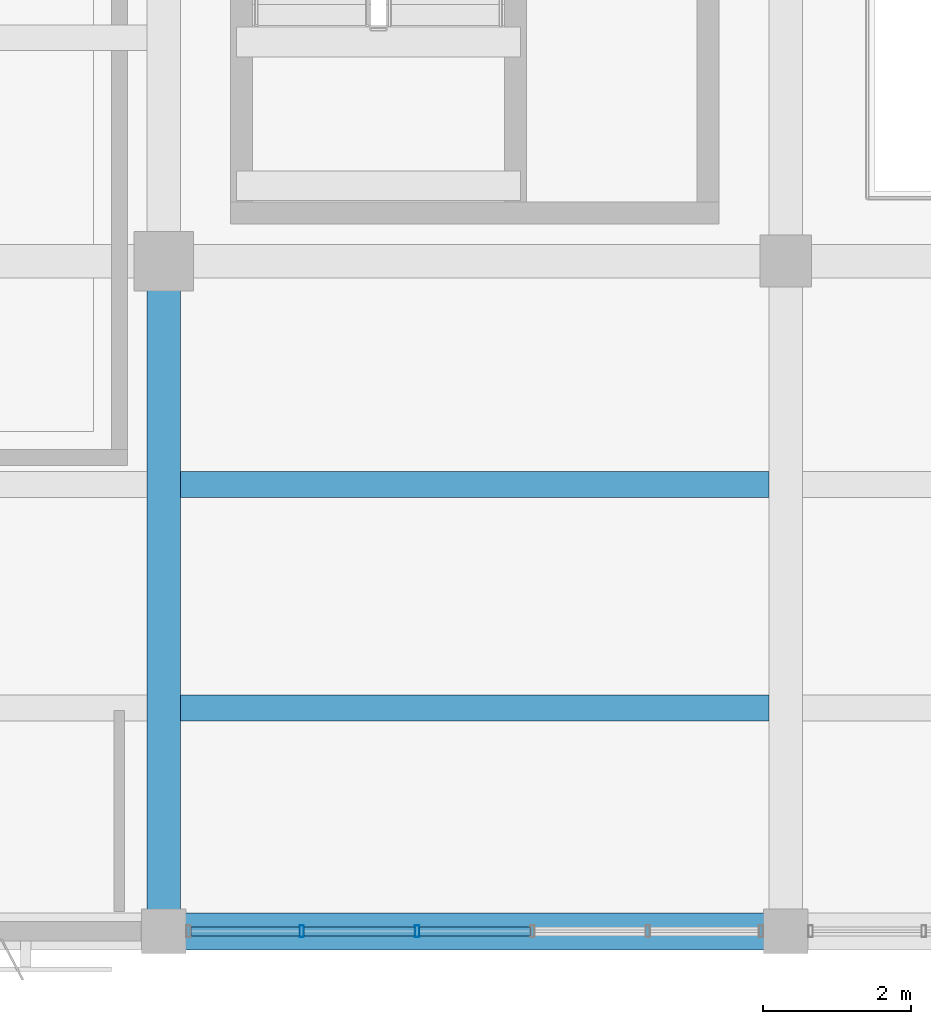
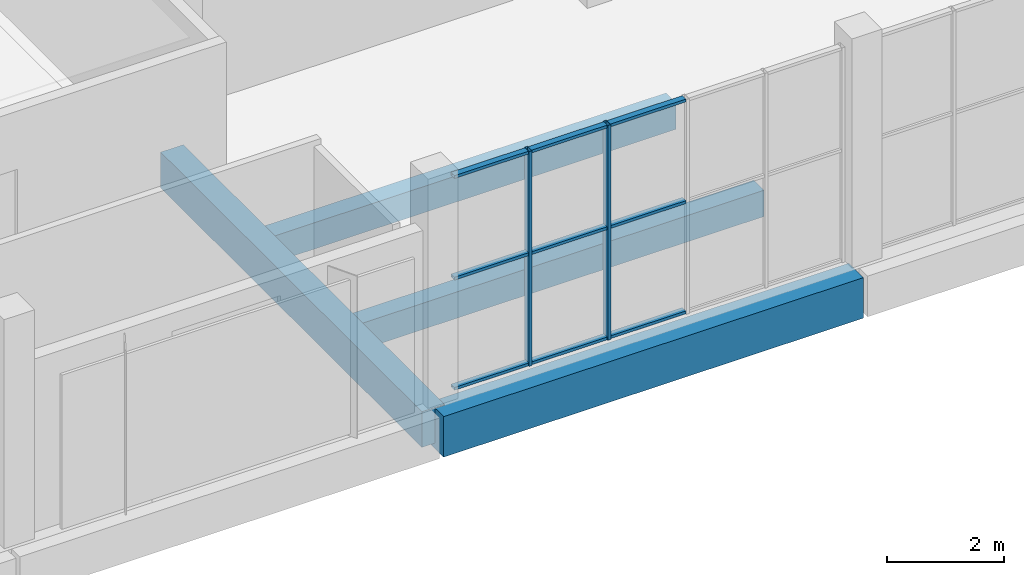
# One storey, part 9 of 80: 11 members, 4 beams, 1 element without a shape of its own.
"""IFC4 building model written with IfcOpenShell, lengths in metres."""

from ifc_helpers import new_model, si_unit, direction, frame, origin, origin_2d, place, context, subcontext, project, spatial, rectangle, hollow_rectangle, extrude, material, material_profile, profile_set, type_object, element, aggregate, save


model = new_model("IFC4")

# Units and contexts
model_context = context("Model", 3, precision=1e-05, world=origin(), true_north=direction((0.0, 1.0)))
body_context = subcontext(model_context, "Body", "Model", "MODEL_VIEW")
ifc_project = project(units=[si_unit("LENGTHUNIT", "METRE"), si_unit("AREAUNIT", "SQUARE_METRE"), si_unit("VOLUMEUNIT", "CUBIC_METRE"), si_unit("PLANEANGLEUNIT", "RADIAN"), si_unit("MASSUNIT", "GRAM", prefix="KILO")], contexts=[model_context])

# Site, building, storey
site_placement = place(None, origin())
site = spatial("IfcSite", under=ifc_project, at=site_placement, CompositionType="ELEMENT")
building_placement = place(site_placement, origin())
building = spatial("IfcBuilding", under=site, at=building_placement, Name="Khurvash Pelagic Aquarium", CompositionType="ELEMENT")
storey_placement = place(building_placement, frame((0.0, 0.0, 10.800048828125)))
storey = spatial("IfcBuildingStorey", under=building, at=storey_placement, Name="L02", CompositionType="ELEMENT", Elevation=10.800048828125)

# Beam
ifc_material_1 = material(Name="Concrete C35/45", Category="concrete")
ifc_material_profile_1 = material_profile(ifc_material_1, rectangle(XDim=0.449951171875, YDim=0.75, at=origin_2d()), Name="RC450X750")
ifc_profile_set_1 = profile_set([ifc_material_profile_1], Name="Concrete C35/45")
beam_type_1 = type_object("IfcBeamType", Name="BM-04", PredefinedType="BEAM", material=ifc_profile_set_1)
beam_1_placement = place(storey_placement, frame((58.800048828125, 2.639892578125, -0.675048828125), z_axis=(0.0, 1.0, 0.0), x_axis=(-1.0, 0.0, 0.0)))
element("IfcBeam", 1, at=beam_1_placement, inside=storey, type_object=beam_type_1, Name="L02 Primary Girder BM-04 00681", PredefinedType="BEAM", context=body_context, shape_type="SweptSolid", body=[
    extrude(rectangle(XDim=0.449951171875, YDim=0.75, at=origin_2d()), origin(), (0.0, 0.0, 1.0), 8.97021484375),
])

# Curtain wall, members
ifc_material_2 = material(Name="Anodised aluminium and low-E laminated glass", Category="aluminium")
curtain_wall_type = type_object("IfcCurtainWallType", Name="CW-06", PredefinedType="USERDEFINED", material=ifc_material_2)
curtain_wall_placement = place(storey_placement, origin())
curtain_wall = element("IfcCurtainWall", 2, at=curtain_wall_placement, inside=storey, type_object=curtain_wall_type, Name="L02 Facade Unitised Curtain Wall CW-06 0153", ObjectType="UNITISED CURTAIN WALL", PredefinedType="USERDEFINED")
ifc_material_3 = material(Name="Extruded aluminium AW-6063-T6", Category="aluminium")
ifc_material_profile_2 = material_profile(ifc_material_3, hollow_rectangle(XDim=0.06005859375, YDim=0.159912109375, WallThickness=0.00390625, at=origin_2d()), Name="CWM60X160X4")
ifc_profile_set_2 = profile_set([ifc_material_profile_2], Name="Extruded aluminium AW-6063-T6")
member_type_1 = type_object("IfcMemberType", Name="CM-02", PredefinedType="MULLION", material=ifc_profile_set_2)
member_1_placement = place(storey_placement, frame((60.6630859375, 2.60009765625, 0.0), z_axis=(0.0, 0.0, 1.0), x_axis=(1.0, 0.0, 0.0)))
member_1 = element("IfcMember", 3, at=member_1_placement, type_object=member_type_1, Name="CW-06 mullion 2", PredefinedType="MULLION", context=body_context, shape_type="SweptSolid", body=[
    extrude(hollow_rectangle(XDim=0.06005859375, YDim=0.159912109375, WallThickness=0.00390625, at=origin_2d()), origin(), (0.0, 0.0, 1.0), 4.5),
])
member_2_placement = place(storey_placement, frame((62.220947265625, 2.60009765625, 0.0), z_axis=(0.0, 0.0, 1.0), x_axis=(1.0, 0.0, 0.0)))
member_2 = element("IfcMember", 4, at=member_2_placement, type_object=member_type_1, Name="CW-06 mullion 3", PredefinedType="MULLION", context=body_context, shape_type="SweptSolid", body=[
    extrude(hollow_rectangle(XDim=0.06005859375, YDim=0.159912109375, WallThickness=0.00390625, at=origin_2d()), origin(), (0.0, 0.0, 1.0), 4.5),
])
ifc_material_profile_3 = material_profile(ifc_material_3, hollow_rectangle(XDim=0.1201171875, YDim=0.06005859375, WallThickness=0.00390625, at=origin_2d()), Name="CWT120X60X4")
ifc_profile_set_3 = profile_set([ifc_material_profile_3], Name="Extruded aluminium AW-6063-T6")
member_type_2 = type_object("IfcMemberType", Name="CT-02", PredefinedType="USERDEFINED", material=ifc_profile_set_3)
member_3_placement = place(storey_placement, frame((59.1650390625, 2.60009765625, 0.030029296875), z_axis=(1.0, 0.0, 0.0), x_axis=(0.0, 1.0, 0.0)))
member_3 = element("IfcMember", 5, at=member_3_placement, type_object=member_type_2, Name="CW-06 transom 1.1", ObjectType="TRANSOM", PredefinedType="USERDEFINED", context=body_context, shape_type="SweptSolid", body=[
    extrude(hollow_rectangle(XDim=0.1201171875, YDim=0.06005859375, WallThickness=0.00390625, at=origin_2d()), origin(), (0.0, 0.0, 1.0), 1.468017578125),
])
member_4_placement = place(storey_placement, frame((59.1650390625, 2.60009765625, 2.33984375), z_axis=(1.0, 0.0, 0.0), x_axis=(0.0, 1.0, 0.0)))
member_4 = element("IfcMember", 6, at=member_4_placement, type_object=member_type_2, Name="CW-06 transom 1.2", ObjectType="TRANSOM", PredefinedType="USERDEFINED", context=body_context, shape_type="SweptSolid", body=[
    extrude(hollow_rectangle(XDim=0.1201171875, YDim=0.06005859375, WallThickness=0.00390625, at=origin_2d()), origin(), (0.0, 0.0, 1.0), 1.468017578125),
])
member_5_placement = place(storey_placement, frame((59.1650390625, 2.60009765625, 4.469970703125), z_axis=(1.0, 0.0, 0.0), x_axis=(0.0, 1.0, 0.0)))
member_5 = element("IfcMember", 7, at=member_5_placement, type_object=member_type_2, Name="CW-06 transom 1.3", ObjectType="TRANSOM", PredefinedType="USERDEFINED", context=body_context, shape_type="SweptSolid", body=[
    extrude(hollow_rectangle(XDim=0.1201171875, YDim=0.06005859375, WallThickness=0.00390625, at=origin_2d()), origin(), (0.0, 0.0, 1.0), 1.468017578125),
])
member_6_placement = place(storey_placement, frame((60.693115234375, 2.60009765625, 0.030029296875), z_axis=(1.0, 0.0, 0.0), x_axis=(0.0, 1.0, 0.0)))
member_6 = element("IfcMember", 8, at=member_6_placement, type_object=member_type_2, Name="CW-06 transom 2.1", ObjectType="TRANSOM", PredefinedType="USERDEFINED", context=body_context, shape_type="SweptSolid", body=[
    extrude(hollow_rectangle(XDim=0.1201171875, YDim=0.06005859375, WallThickness=0.00390625, at=origin_2d()), origin(), (0.0, 0.0, 1.0), 1.497802734375),
])
member_7_placement = place(storey_placement, frame((60.693115234375, 2.60009765625, 2.33984375), z_axis=(1.0, 0.0, 0.0), x_axis=(0.0, 1.0, 0.0)))
member_7 = element("IfcMember", 9, at=member_7_placement, type_object=member_type_2, Name="CW-06 transom 2.2", ObjectType="TRANSOM", PredefinedType="USERDEFINED", context=body_context, shape_type="SweptSolid", body=[
    extrude(hollow_rectangle(XDim=0.1201171875, YDim=0.06005859375, WallThickness=0.00390625, at=origin_2d()), origin(), (0.0, 0.0, 1.0), 1.497802734375),
])
member_8_placement = place(storey_placement, frame((60.693115234375, 2.60009765625, 4.469970703125), z_axis=(1.0, 0.0, 0.0), x_axis=(0.0, 1.0, 0.0)))
member_8 = element("IfcMember", 10, at=member_8_placement, type_object=member_type_2, Name="CW-06 transom 2.3", ObjectType="TRANSOM", PredefinedType="USERDEFINED", context=body_context, shape_type="SweptSolid", body=[
    extrude(hollow_rectangle(XDim=0.1201171875, YDim=0.06005859375, WallThickness=0.00390625, at=origin_2d()), origin(), (0.0, 0.0, 1.0), 1.497802734375),
])
member_9_placement = place(storey_placement, frame((62.2509765625, 2.60009765625, 0.030029296875), z_axis=(1.0, 0.0, 0.0), x_axis=(0.0, 1.0, 0.0)))
member_9 = element("IfcMember", 11, at=member_9_placement, type_object=member_type_2, Name="CW-06 transom 3.1", ObjectType="TRANSOM", PredefinedType="USERDEFINED", context=body_context, shape_type="SweptSolid", body=[
    extrude(hollow_rectangle(XDim=0.1201171875, YDim=0.06005859375, WallThickness=0.00390625, at=origin_2d()), origin(), (0.0, 0.0, 1.0), 1.498046875),
])
member_10_placement = place(storey_placement, frame((62.2509765625, 2.60009765625, 2.33984375), z_axis=(1.0, 0.0, 0.0), x_axis=(0.0, 1.0, 0.0)))
member_10 = element("IfcMember", 12, at=member_10_placement, type_object=member_type_2, Name="CW-06 transom 3.2", ObjectType="TRANSOM", PredefinedType="USERDEFINED", context=body_context, shape_type="SweptSolid", body=[
    extrude(hollow_rectangle(XDim=0.1201171875, YDim=0.06005859375, WallThickness=0.00390625, at=origin_2d()), origin(), (0.0, 0.0, 1.0), 1.498046875),
])
member_11_placement = place(storey_placement, frame((62.2509765625, 2.60009765625, 4.469970703125), z_axis=(1.0, 0.0, 0.0), x_axis=(0.0, 1.0, 0.0)))
member_11 = element("IfcMember", 13, at=member_11_placement, type_object=member_type_2, Name="CW-06 transom 3.3", ObjectType="TRANSOM", PredefinedType="USERDEFINED", context=body_context, shape_type="SweptSolid", body=[
    extrude(hollow_rectangle(XDim=0.1201171875, YDim=0.06005859375, WallThickness=0.00390625, at=origin_2d()), origin(), (0.0, 0.0, 1.0), 1.498046875),
])
aggregate(curtain_wall, [member_1, member_2, member_3, member_4, member_5, member_6, member_7, member_8, member_9, member_10, member_11])

# Beams
ifc_material_profile_4 = material_profile(ifc_material_1, rectangle(XDim=0.35009765625, YDim=0.550048828125, at=origin_2d()), Name="RC350X550")
ifc_profile_set_4 = profile_set([ifc_material_profile_4], Name="Concrete C35/45")
beam_type_2 = type_object("IfcBeamType", Name="JS-01", PredefinedType="JOIST", material=ifc_profile_set_4)
for number, where, z_axis, x_axis, name in (
    (14, (59.02490234375, 5.616943359375, -0.574951171875), (1.0, 0.0, 0.0), (0.0, 1.0, 0.0), "L02 Floor Joist JS-01 00773"),
    (15, (59.02490234375, 8.633056640625, -0.574951171875), (1.0, 0.0, 0.0), (0.0, 1.0, 0.0), "L02 Floor Joist JS-01 00774"),
):
    element("IfcBeam", number, at=place(storey_placement, frame(where, z_axis=z_axis, x_axis=x_axis)), inside=storey, type_object=beam_type_2, Name=name, PredefinedType="JOIST", context=body_context, shape_type="SweptSolid", body=[
        extrude(rectangle(XDim=0.35009765625, YDim=0.550048828125, at=origin_2d()), origin(), (0.0, 0.0, 1.0), 7.9501953125),
    ])
ifc_material_4 = material(Name="Concrete C40/50", Category="concrete")
ifc_material_profile_5 = material_profile(ifc_material_4, rectangle(XDim=0.5, YDim=0.85009765625, at=origin_2d()), Name="RC500X850")
ifc_profile_set_5 = profile_set([ifc_material_profile_5], Name="Concrete C40/50")
beam_type_3 = type_object("IfcBeamType", Name="SEB-03", PredefinedType="SPANDREL", material=ifc_profile_set_5)
beam_2_placement = place(storey_placement, frame((58.840087890625, 2.60009765625, -0.7451171875), z_axis=(1.0, 0.0, 0.0), x_axis=(0.0, 1.0, 0.0)))
element("IfcBeam", 16, at=beam_2_placement, inside=storey, type_object=beam_type_3, Name="L02 Primary Girder SEB-03 00566", PredefinedType="SPANDREL", context=body_context, shape_type="SweptSolid", body=[
    extrude(rectangle(XDim=0.5, YDim=0.85009765625, at=origin_2d()), origin(), (0.0, 0.0, 1.0), 8.31982421875),
])

save(model, "model.ifc")
